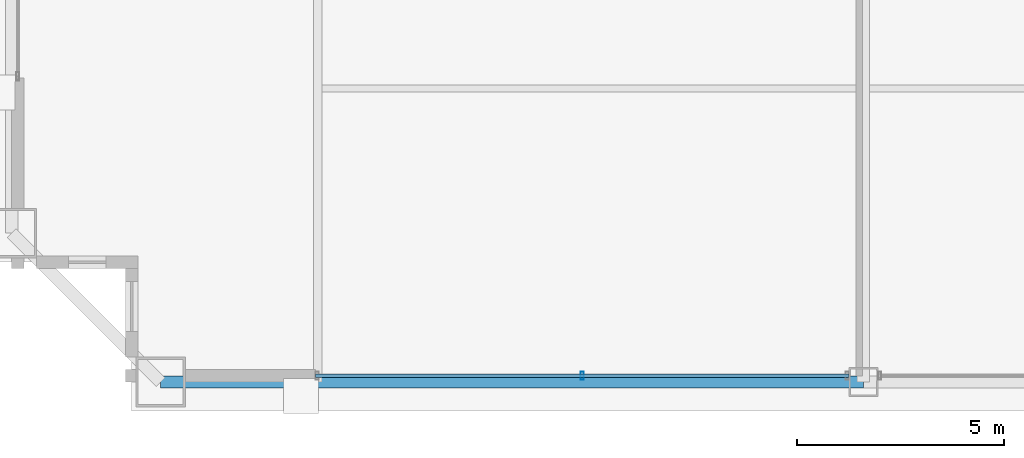
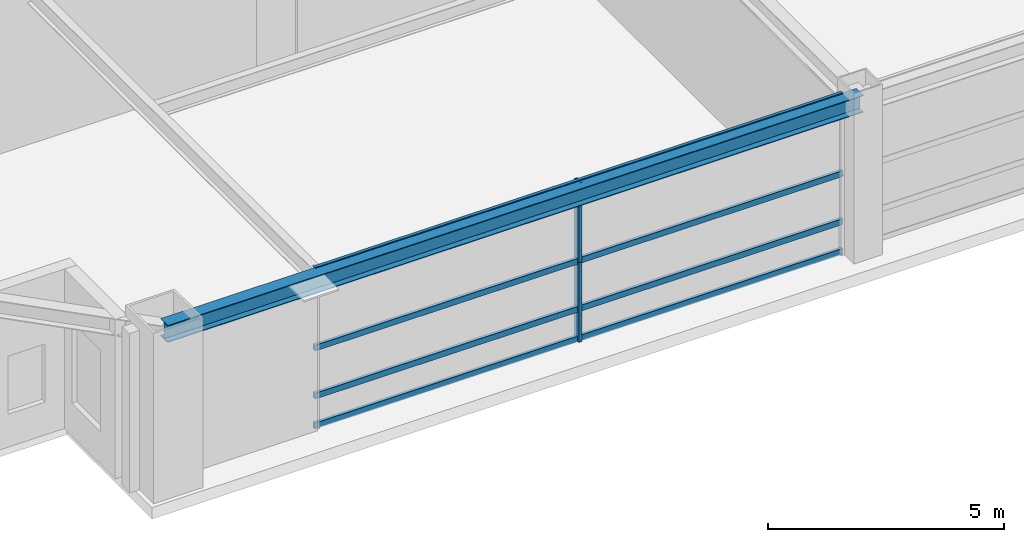
# One storey, part 4 of 26: 6 members, 1 beam, 1 element without a shape of its own.
"""IFC4 building model written with IfcOpenShell, lengths in metres."""

import ifcopenshell
import ifcopenshell.guid

model = None  # the IFC model being written
_history = None  # IfcOwnerHistory: only IFC2X3 demands one
_inside = {}  # id of a spatial element -> (the spatial element, [elements in it])
_under = {}  # id of a project, library or spatial element -> (it, [spatial elements below it])
_declared = {}  # id of a project -> (the project, [libraries it declares])
_typed = {}  # id of a type object -> (the type object, [elements of that type])
_made_of = {}  # id of a material, layer set ... -> (it, [elements and type objects made of it])


def new_model(schema):
    """Start an empty IFC model of exactly this schema.

    Asked for "IFC4X3", IfcOpenShell would pick the latest addendum, in which some entities
    have other attributes; the version numbers below select the first issue.
    IFC2X3 requires an IfcOwnerHistory on every rooted entity: one is made here for all.
    """
    global model, _history
    if schema == "IFC4X3":
        model = ifcopenshell.file(schema_version=(4, 3, 0, 0))
    else:
        model = ifcopenshell.file(schema=schema)
    _inside.clear()
    _under.clear()
    _declared.clear()
    _typed.clear()
    _made_of.clear()
    _history = None
    if model.schema == "IFC2X3":
        org = make("IfcOrganization", Name="unknown")
        user = make(
            "IfcPersonAndOrganization",
            ThePerson=make("IfcPerson", FamilyName="unknown"),
            TheOrganization=org,
        )
        app = make(
            "IfcApplication",
            ApplicationDeveloper=org,
            Version="unknown",
            ApplicationFullName="unknown",
            ApplicationIdentifier="unknown",
        )
        _history = make(
            "IfcOwnerHistory",
            OwningUser=user,
            OwningApplication=app,
            ChangeAction="ADDED",
            CreationDate=0,
        )
    return model


def make(cls, **values):
    """One entity of the class cls with the attributes given. An attribute that is None is left unset."""
    return model.create_entity(
        cls, **{name: value for name, value in values.items() if value is not None}
    )


def rooted(cls, **values):
    """An entity with a GlobalId (a new one), such as an element, a storey or a relation."""
    return make(cls, GlobalId=ifcopenshell.guid.new(), OwnerHistory=_history, **values)


def si_unit(unit_type, name, prefix=None):
    """IfcSIUnit, for example si_unit("LENGTHUNIT", "METRE", prefix="MILLI")."""
    return make("IfcSIUnit", UnitType=unit_type, Prefix=prefix, Name=name)


def assignment(units):
    """IfcUnitAssignment: the units of a project."""
    return None if units is None else make("IfcUnitAssignment", Units=units)


def point(xyz):
    """IfcCartesianPoint."""
    return None if xyz is None else make("IfcCartesianPoint", Coordinates=xyz)


def direction(xyz):
    """IfcDirection."""
    return None if xyz is None else make("IfcDirection", DirectionRatios=xyz)


def frame(location, z_axis=None, x_axis=None):
    """IfcAxis2Placement3D, a coordinate frame: its origin and axes. An axis left out is left unset."""
    return make(
        "IfcAxis2Placement3D",
        Location=point(location),
        Axis=direction(z_axis),
        RefDirection=direction(x_axis),
    )


def frame_2d(location, x_axis=None):
    """IfcAxis2Placement2D, a coordinate frame in the plane: its origin and x axis."""
    return make(
        "IfcAxis2Placement2D", Location=point(location), RefDirection=direction(x_axis)
    )


def origin():
    """The frame at (0, 0, 0) with its axes left unset."""
    return frame((0.0, 0.0, 0.0))


def origin_2d():
    """The frame at (0, 0) in the plane with its x axis left unset."""
    return frame_2d((0.0, 0.0))


def place(relative_to, where):
    """IfcLocalPlacement: puts the frame where relative to a parent placement (None: the world)."""
    return make(
        "IfcLocalPlacement", PlacementRelTo=relative_to, RelativePlacement=where
    )


def context(
    kind, dimensions, precision=None, world=None, true_north=None, identifier=None
):
    """IfcGeometricRepresentationContext, for example the 3D "Model" context."""
    return make(
        "IfcGeometricRepresentationContext",
        ContextIdentifier=identifier,
        ContextType=kind,
        CoordinateSpaceDimension=dimensions,
        Precision=precision,
        WorldCoordinateSystem=world,
        TrueNorth=true_north,
    )


def subcontext(parent, identifier, kind, view, scale=None):
    """IfcGeometricRepresentationSubContext, for example "Body" below "Model"."""
    return make(
        "IfcGeometricRepresentationSubContext",
        ContextIdentifier=identifier,
        ContextType=kind,
        ParentContext=parent,
        TargetScale=scale,
        TargetView=view,
    )


def project(units=None, contexts=None):
    """IfcProject with its units and contexts."""
    return rooted(
        "IfcProject",
        Name="project",
        RepresentationContexts=contexts,
        UnitsInContext=assignment(units),
    )


def spatial(cls, under=None, at=None, **own):
    """A site, building, storey or space (cls), placed at a placement, below another one or the project."""
    s = rooted(cls, ObjectPlacement=at, **own)
    if under is not None:
        _under.setdefault(under.id(), (under, []))[1].append(s)
    return s


def profile(cls, at=None, kind="AREA", **sizes):
    """A parametric profile (cls). Its sizes go by their IFC names, for example OverallWidth=200.0."""
    return make(cls, ProfileType=kind, Position=at, **sizes)


def hollow_rectangle(**sizes):
    """IfcRectangleHollowProfileDef."""
    return profile("IfcRectangleHollowProfileDef", **sizes)


def i_section(**sizes):
    """IfcIShapeProfileDef."""
    return profile("IfcIShapeProfileDef", **sizes)


def extrude(swept, where, along, depth):
    """IfcExtrudedAreaSolid: the profile swept, set in the frame where, extruded along a direction by depth."""
    return make(
        "IfcExtrudedAreaSolid",
        SweptArea=swept,
        Position=where,
        ExtrudedDirection=direction(along),
        Depth=depth,
    )


def shape(context_of_items, identifier, shape_type, items):
    """IfcShapeRepresentation: the items that make up one representation, for example the "Body"."""
    return make(
        "IfcShapeRepresentation",
        ContextOfItems=context_of_items,
        RepresentationIdentifier=identifier,
        RepresentationType=shape_type,
        Items=items,
    )


def source(mapping_origin, context_of_items, identifier, shape_type, items):
    """IfcRepresentationMap: a shape defined once, which mapped items show again and again."""
    return make(
        "IfcRepresentationMap",
        MappingOrigin=mapping_origin,
        MappedRepresentation=shape(context_of_items, identifier, shape_type, items),
    )


def transform(
    local_origin,
    x_axis=None,
    y_axis=None,
    z_axis=None,
    scale=None,
    scale2=None,
    scale3=None,
    uniform=True,
):
    """IfcCartesianTransformationOperator3D, or its non-uniform kind. x_axis, y_axis, z_axis: its Axis1, 2, 3."""
    if uniform:
        return make(
            "IfcCartesianTransformationOperator3D",
            Axis1=direction(x_axis),
            Axis2=direction(y_axis),
            LocalOrigin=point(local_origin),
            Scale=scale,
            Axis3=direction(z_axis),
        )
    return make(
        "IfcCartesianTransformationOperator3DnonUniform",
        Axis1=direction(x_axis),
        Axis2=direction(y_axis),
        LocalOrigin=point(local_origin),
        Scale=scale,
        Axis3=direction(z_axis),
        Scale2=scale2,
        Scale3=scale3,
    )


def mapped(mapping_source, mapping_target):
    """IfcMappedItem: shows the shape of a source again, moved by a transform."""
    return make(
        "IfcMappedItem", MappingSource=mapping_source, MappingTarget=mapping_target
    )


def material(Name=None, Category=None):
    """IfcMaterial."""
    return make("IfcMaterial", Name=Name, Category=Category)


def layer(
    of_material, thickness, ventilated=None, Name=None, Category=None, Priority=None
):
    """IfcMaterialLayer: one layer of a wall or slab, of a material (None: an air gap)."""
    return make(
        "IfcMaterialLayer",
        Material=of_material,
        LayerThickness=thickness,
        IsVentilated=ventilated,
        Name=Name,
        Category=Category,
        Priority=Priority,
    )


def layer_set(layers, Name=None):
    """IfcMaterialLayerSet."""
    return make("IfcMaterialLayerSet", MaterialLayers=layers, LayerSetName=Name)


def material_profile(
    of_material, cross_section, Name=None, Category=None, Priority=None
):
    """IfcMaterialProfile: a cross section and its material."""
    return make(
        "IfcMaterialProfile",
        Name=Name,
        Material=of_material,
        Profile=cross_section,
        Priority=Priority,
        Category=Category,
    )


def profile_set(profiles, Name=None, composite=None):
    """IfcMaterialProfileSet."""
    return make(
        "IfcMaterialProfileSet",
        Name=Name,
        MaterialProfiles=profiles,
        CompositeProfile=composite,
    )


def made_of(thing, what):
    """Note that an element or type object is made of a material, layer set ...; save() writes the relation."""
    if what is not None:
        _made_of.setdefault(what.id(), (what, []))[1].append(thing)
    return thing


def type_object(cls, material=None, **own):
    """A type object (cls), such as IfcWallType, which elements share."""
    return made_of(rooted(cls, **own), material)


def element(
    cls,
    number,
    at=None,
    inside=None,
    cuts=None,
    type_object=None,
    material=None,
    context=None,
    identifier="Body",
    shape_type=None,
    held_by="IfcProductDefinitionShape",
    body=None,
    shapes=None,
    **own,
):
    """One element of the class cls, such as IfcWall. Its Tag is "e" and its number.

    at: its placement. inside: the storey or other place that contains it. cuts: it is an
    opening in that element (IfcRelVoidsElement). A single representation is given by context,
    identifier, shape_type and body (its items); several are given by shapes. held_by: the class
    of the entity that holds the representations. save() writes the other relations.
    """
    e = rooted(cls, Tag="e%d" % number, ObjectPlacement=at, **own)
    if body is not None:
        shapes = [shape(context, identifier, shape_type, body)]
    if shapes is not None:
        e.Representation = make(held_by, Representations=shapes)
    if inside is not None:
        _inside.setdefault(inside.id(), (inside, []))[1].append(e)
    if cuts is not None:
        rooted(
            "IfcRelVoidsElement", RelatingBuildingElement=cuts, RelatedOpeningElement=e
        )
    if type_object is not None:
        _typed.setdefault(type_object.id(), (type_object, []))[1].append(e)
    return made_of(e, material)


def aggregate(whole, parts):
    """IfcRelAggregates: a whole, such as a stair, and the parts it consists of."""
    return rooted("IfcRelAggregates", RelatingObject=whole, RelatedObjects=parts)


def save(model, path):
    """Write the relations noted so far, then the file.

    IfcRelAggregates (storeys below a building ...), IfcRelContainedInSpatialStructure (elements
    in a storey), IfcRelDefinesByType, IfcRelAssociatesMaterial and IfcRelDeclares: one each for
    every whole, place, type object, material and project.
    """
    for whole, parts in _under.values():
        aggregate(whole, parts)
    for where, things in _inside.values():
        rooted(
            "IfcRelContainedInSpatialStructure",
            RelatedElements=things,
            RelatingStructure=where,
        )
    for kind, things in _typed.values():
        rooted("IfcRelDefinesByType", RelatedObjects=things, RelatingType=kind)
    for what, things in _made_of.values():
        rooted("IfcRelAssociatesMaterial", RelatedObjects=things, RelatingMaterial=what)
    for by, libraries in _declared.values():
        rooted("IfcRelDeclares", RelatingContext=by, RelatedDefinitions=libraries)
    model.write(path)


model = new_model("IFC4")

# Units and contexts
model_context = context("Model", 3, precision=1e-05, world=origin(), true_north=direction((0.0, 1.0)))
body_context = subcontext(model_context, "Body", "Model", "MODEL_VIEW")
ifc_project = project(units=[si_unit("LENGTHUNIT", "METRE"), si_unit("AREAUNIT", "SQUARE_METRE"), si_unit("VOLUMEUNIT", "CUBIC_METRE"), si_unit("PLANEANGLEUNIT", "RADIAN"), si_unit("MASSUNIT", "GRAM", prefix="KILO"), si_unit("THERMODYNAMICTEMPERATUREUNIT", "KELVIN"), si_unit("POWERUNIT", "WATT")], contexts=[model_context])

# Site, building, storey
site_placement = place(None, origin())
site = spatial("IfcSite", under=ifc_project, at=site_placement, CompositionType="ELEMENT")
building_placement = place(site_placement, origin())
building = spatial("IfcBuilding", under=site, at=building_placement, Name="Yuzanri Waterfront Tower", CompositionType="ELEMENT")
storey_placement = place(building_placement, frame((0.0, 0.0, 259.10009765625)))
storey = spatial("IfcBuildingStorey", under=building, at=storey_placement, Name="L69", CompositionType="ELEMENT", Elevation=259.10009765625)

# Beam
ifc_material_1 = material(Name="Steel Q355B", Category="steel")
ifc_material_profile_1 = material_profile(ifc_material_1, i_section(OverallWidth=0.300048828125, OverallDepth=0.43994140625, WebThickness=0.010986328125, FlangeThickness=0.01806640625, at=origin_2d()), Name="HM 440x300x11x18")
ifc_profile_set_1 = profile_set([ifc_material_profile_1], Name="Steel Q355B")
beam_type = type_object("IfcBeamType", Name="Perimeter Spandrel Q355B HM 440x300", PredefinedType="SPANDREL", material=ifc_profile_set_1)
shared_shape_1 = source(origin(), body_context, "Body", "SweptSolid", [
    extrude(i_section(OverallWidth=0.300048828125, OverallDepth=0.43994140625, WebThickness=0.010986328125, FlangeThickness=0.01806640625, at=origin_2d()), origin(), (0.0, 0.0, 1.0), 17.0),
])
beam_placement = place(storey_placement, frame((20.0, 5.199951171875, 3.89990234375), z_axis=(1.0, 0.0, 0.0), x_axis=(0.0, 1.0, 0.0)))
element("IfcBeam", 1, at=beam_placement, inside=storey, type_object=beam_type, Name="L69 Perimeter Spandrel S1-S2", PredefinedType="SPANDREL", context=body_context, shape_type="MappedRepresentation", body=[
    mapped(shared_shape_1, transform((0.0, 0.0, 0.0), scale=1.0)),
])

# Curtain wall, members
ifc_material_2 = material(Name="Anodized Architectural Bronze", Category="metal")
ifc_layer = layer(ifc_material_2, 0.159912109375)
ifc_layer_set = layer_set([ifc_layer], Name="Anodized Architectural Bronze")
curtain_wall_type = type_object("IfcCurtainWallType", Name="Anodized Bronze Sky-Lobby Triple-Glazed Feature Curtain Wall 7500", PredefinedType="NOTDEFINED", material=ifc_layer_set)
curtain_wall_placement = place(storey_placement, origin())
curtain_wall = element("IfcCurtainWall", 2, at=curtain_wall_placement, inside=storey, type_object=curtain_wall_type, Name="L69 Curtain Wall CW-L69-SL", PredefinedType="NOTDEFINED")
ifc_material_3 = material(Name="Anodized Architectural Bronze", Category="metal")
ifc_material_profile_2 = material_profile(ifc_material_3, hollow_rectangle(XDim=0.074951171875, YDim=0.199951171875, WallThickness=0.00390625, at=origin_2d()), Name="CWM 75x200")
ifc_profile_set_2 = profile_set([ifc_material_profile_2], Name="Anodized Architectural Bronze")
member_type_1 = type_object("IfcMemberType", Name="Anodized Bronze Primary Curtain-Wall Mullion 75x200", PredefinedType="MULLION", material=ifc_profile_set_2)
shared_shape_2 = source(origin(), body_context, "Body", "SweptSolid", [
    extrude(hollow_rectangle(XDim=0.074951171875, YDim=0.199951171875, WallThickness=0.00390625, at=origin_2d()), origin(), (0.0, 0.0, 1.0), 2.057861328125),
])
member_1_placement = place(storey_placement, frame((30.199951171875, 5.35009765625, 0.0), z_axis=(0.0, 0.0, 1.0), x_axis=(1.0, 0.0, 0.0)))
member_1 = element("IfcMember", 3, at=member_1_placement, type_object=member_type_1, Name="CW-L69-SL Lower Mullion 01", PredefinedType="MULLION", context=body_context, shape_type="MappedRepresentation", body=[
    mapped(shared_shape_2, transform((0.0, 0.0, 0.0), scale=1.0)),
])
member_2_placement = place(storey_placement, frame((30.199951171875, 5.35009765625, 2.06201171875), z_axis=(0.0, 0.0, 1.0), x_axis=(1.0, 0.0, 0.0)))
member_2 = element("IfcMember", 4, at=member_2_placement, type_object=member_type_1, Name="CW-L69-SL Upper Mullion 01", PredefinedType="MULLION", context=body_context, shape_type="MappedRepresentation", body=[
    mapped(shared_shape_2, transform((0.0, 0.0, 0.0), scale=1.0)),
])
ifc_material_4 = material(Name="Anodized Architectural Bronze", Category="metal")
ifc_material_profile_3 = material_profile(ifc_material_4, hollow_rectangle(XDim=0.074951171875, YDim=0.14990234375, WallThickness=0.00390625, at=origin_2d()), Name="CWT 75x150")
ifc_profile_set_3 = profile_set([ifc_material_profile_3], Name="Anodized Architectural Bronze")
member_type_2 = type_object("IfcMemberType", Name="Anodized Bronze Primary Curtain-Wall Transom 75x150", PredefinedType="USERDEFINED", material=ifc_profile_set_3)
shared_shape_3 = source(origin(), body_context, "Body", "SweptSolid", [
    extrude(hollow_rectangle(XDim=0.074951171875, YDim=0.14990234375, WallThickness=0.00390625, at=origin_2d()), origin(), (0.0, 0.0, 1.0), 12.89990234375),
])
member_3_placement = place(storey_placement, frame((23.75, 5.35009765625, 0.0498046875), z_axis=(1.0, 0.0, 0.0), x_axis=(0.0, 1.0, 0.0)))
member_3 = element("IfcMember", 5, at=member_3_placement, type_object=member_type_2, Name="CW-L69-SL Transom 1", ObjectType="TRANSOM", PredefinedType="USERDEFINED", context=body_context, shape_type="MappedRepresentation", body=[
    mapped(shared_shape_3, transform((0.0, 0.0, 0.0), scale=1.0)),
])
member_4_placement = place(storey_placement, frame((23.75, 5.35009765625, 0.81982421875), z_axis=(1.0, 0.0, 0.0), x_axis=(0.0, 1.0, 0.0)))
member_4 = element("IfcMember", 6, at=member_4_placement, type_object=member_type_2, Name="CW-L69-SL Transom 2", ObjectType="TRANSOM", PredefinedType="USERDEFINED", context=body_context, shape_type="MappedRepresentation", body=[
    mapped(shared_shape_3, transform((0.0, 0.0, 0.0), scale=1.0)),
])
member_5_placement = place(storey_placement, frame((23.75, 5.35009765625, 2.059814453125), z_axis=(1.0, 0.0, 0.0), x_axis=(0.0, 1.0, 0.0)))
member_5 = element("IfcMember", 7, at=member_5_placement, type_object=member_type_2, Name="CW-L69-SL Transom 3", ObjectType="TRANSOM", PredefinedType="USERDEFINED", context=body_context, shape_type="MappedRepresentation", body=[
    mapped(shared_shape_3, transform((0.0, 0.0, 0.0), scale=1.0)),
])
member_6_placement = place(storey_placement, frame((23.75, 5.35009765625, 4.06982421875), z_axis=(1.0, 0.0, 0.0), x_axis=(0.0, 1.0, 0.0)))
member_6 = element("IfcMember", 8, at=member_6_placement, type_object=member_type_2, Name="CW-L69-SL Transom 4", ObjectType="TRANSOM", PredefinedType="USERDEFINED", context=body_context, shape_type="MappedRepresentation", body=[
    mapped(shared_shape_3, transform((0.0, 0.0, 0.0), scale=1.0)),
])
aggregate(curtain_wall, [member_1, member_2, member_3, member_4, member_5, member_6])

save(model, "model.ifc")
